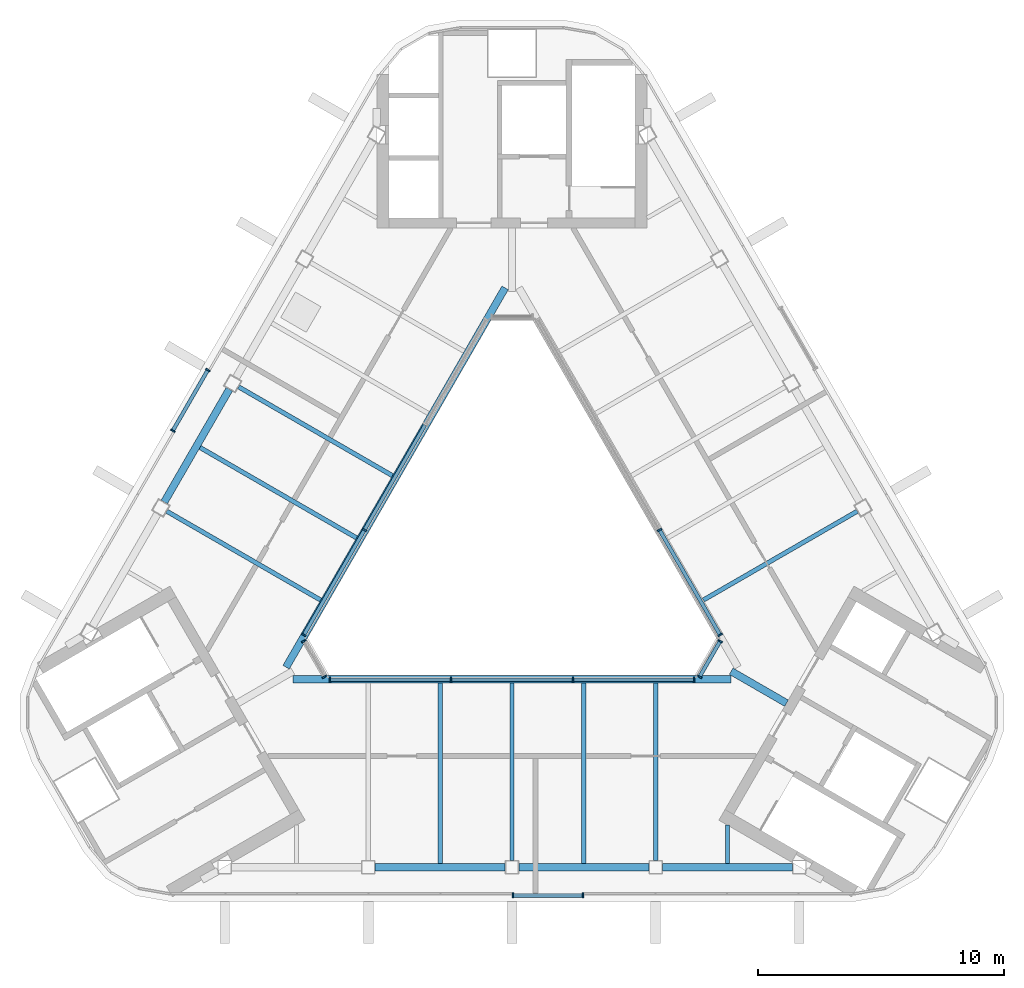
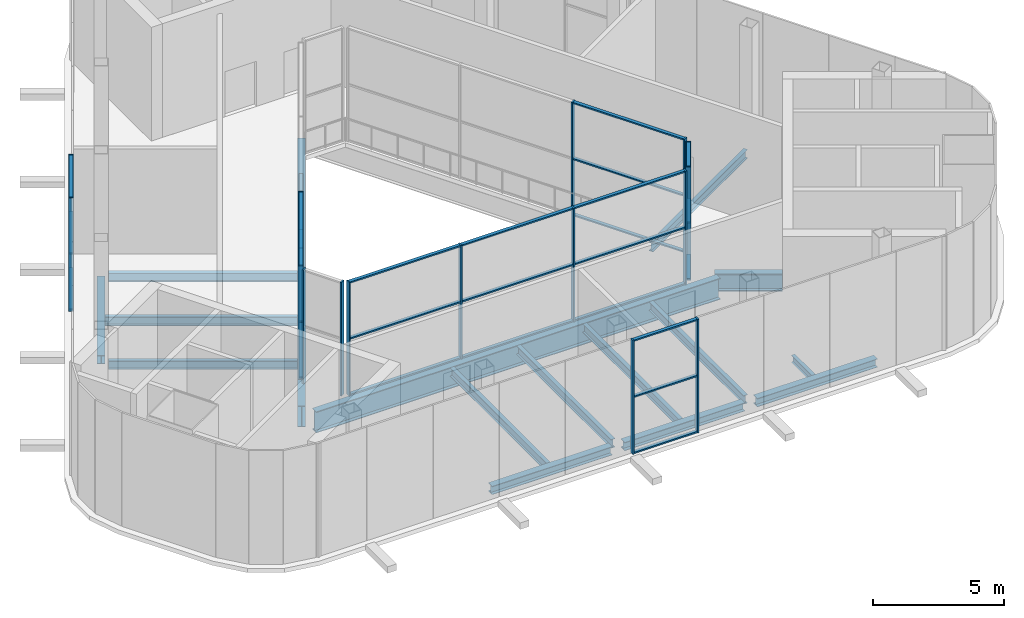
# One storey, part 2 of 9: 42 members, 16 beams, 7 elements without a shape of their own.
"""IFC4 building model written with IfcOpenShell, lengths in metres."""

import ifcopenshell
import ifcopenshell.guid

model = None  # the IFC model being written
_history = None  # IfcOwnerHistory: only IFC2X3 demands one
_inside = {}  # id of a spatial element -> (the spatial element, [elements in it])
_under = {}  # id of a project, library or spatial element -> (it, [spatial elements below it])
_declared = {}  # id of a project -> (the project, [libraries it declares])
_typed = {}  # id of a type object -> (the type object, [elements of that type])
_made_of = {}  # id of a material, layer set ... -> (it, [elements and type objects made of it])


def new_model(schema):
    """Start an empty IFC model of exactly this schema.

    Asked for "IFC4X3", IfcOpenShell would pick the latest addendum, in which some entities
    have other attributes; the version numbers below select the first issue.
    IFC2X3 requires an IfcOwnerHistory on every rooted entity: one is made here for all.
    """
    global model, _history
    if schema == "IFC4X3":
        model = ifcopenshell.file(schema_version=(4, 3, 0, 0))
    else:
        model = ifcopenshell.file(schema=schema)
    _inside.clear()
    _under.clear()
    _declared.clear()
    _typed.clear()
    _made_of.clear()
    _history = None
    if model.schema == "IFC2X3":
        org = make("IfcOrganization", Name="unknown")
        user = make(
            "IfcPersonAndOrganization",
            ThePerson=make("IfcPerson", FamilyName="unknown"),
            TheOrganization=org,
        )
        app = make(
            "IfcApplication",
            ApplicationDeveloper=org,
            Version="unknown",
            ApplicationFullName="unknown",
            ApplicationIdentifier="unknown",
        )
        _history = make(
            "IfcOwnerHistory",
            OwningUser=user,
            OwningApplication=app,
            ChangeAction="ADDED",
            CreationDate=0,
        )
    return model


def make(cls, **values):
    """One entity of the class cls with the attributes given. An attribute that is None is left unset."""
    return model.create_entity(
        cls, **{name: value for name, value in values.items() if value is not None}
    )


def rooted(cls, **values):
    """An entity with a GlobalId (a new one), such as an element, a storey or a relation."""
    return make(cls, GlobalId=ifcopenshell.guid.new(), OwnerHistory=_history, **values)


def si_unit(unit_type, name, prefix=None):
    """IfcSIUnit, for example si_unit("LENGTHUNIT", "METRE", prefix="MILLI")."""
    return make("IfcSIUnit", UnitType=unit_type, Prefix=prefix, Name=name)


def assignment(units):
    """IfcUnitAssignment: the units of a project."""
    return None if units is None else make("IfcUnitAssignment", Units=units)


def point(xyz):
    """IfcCartesianPoint."""
    return None if xyz is None else make("IfcCartesianPoint", Coordinates=xyz)


def direction(xyz):
    """IfcDirection."""
    return None if xyz is None else make("IfcDirection", DirectionRatios=xyz)


def frame(location, z_axis=None, x_axis=None):
    """IfcAxis2Placement3D, a coordinate frame: its origin and axes. An axis left out is left unset."""
    return make(
        "IfcAxis2Placement3D",
        Location=point(location),
        Axis=direction(z_axis),
        RefDirection=direction(x_axis),
    )


def frame_2d(location, x_axis=None):
    """IfcAxis2Placement2D, a coordinate frame in the plane: its origin and x axis."""
    return make(
        "IfcAxis2Placement2D", Location=point(location), RefDirection=direction(x_axis)
    )


def origin():
    """The frame at (0, 0, 0) with its axes left unset."""
    return frame((0.0, 0.0, 0.0))


def origin_2d():
    """The frame at (0, 0) in the plane with its x axis left unset."""
    return frame_2d((0.0, 0.0))


def place(relative_to, where):
    """IfcLocalPlacement: puts the frame where relative to a parent placement (None: the world)."""
    return make(
        "IfcLocalPlacement", PlacementRelTo=relative_to, RelativePlacement=where
    )


def context(
    kind, dimensions, precision=None, world=None, true_north=None, identifier=None
):
    """IfcGeometricRepresentationContext, for example the 3D "Model" context."""
    return make(
        "IfcGeometricRepresentationContext",
        ContextIdentifier=identifier,
        ContextType=kind,
        CoordinateSpaceDimension=dimensions,
        Precision=precision,
        WorldCoordinateSystem=world,
        TrueNorth=true_north,
    )


def subcontext(parent, identifier, kind, view, scale=None):
    """IfcGeometricRepresentationSubContext, for example "Body" below "Model"."""
    return make(
        "IfcGeometricRepresentationSubContext",
        ContextIdentifier=identifier,
        ContextType=kind,
        ParentContext=parent,
        TargetScale=scale,
        TargetView=view,
    )


def project(units=None, contexts=None):
    """IfcProject with its units and contexts."""
    return rooted(
        "IfcProject",
        Name="project",
        RepresentationContexts=contexts,
        UnitsInContext=assignment(units),
    )


def spatial(cls, under=None, at=None, **own):
    """A site, building, storey or space (cls), placed at a placement, below another one or the project."""
    s = rooted(cls, ObjectPlacement=at, **own)
    if under is not None:
        _under.setdefault(under.id(), (under, []))[1].append(s)
    return s


def profile(cls, at=None, kind="AREA", **sizes):
    """A parametric profile (cls). Its sizes go by their IFC names, for example OverallWidth=200.0."""
    return make(cls, ProfileType=kind, Position=at, **sizes)


def rectangle(**sizes):
    """IfcRectangleProfileDef."""
    return profile("IfcRectangleProfileDef", **sizes)


def i_section(**sizes):
    """IfcIShapeProfileDef."""
    return profile("IfcIShapeProfileDef", **sizes)


def extrude(swept, where, along, depth):
    """IfcExtrudedAreaSolid: the profile swept, set in the frame where, extruded along a direction by depth."""
    return make(
        "IfcExtrudedAreaSolid",
        SweptArea=swept,
        Position=where,
        ExtrudedDirection=direction(along),
        Depth=depth,
    )


def shape(context_of_items, identifier, shape_type, items):
    """IfcShapeRepresentation: the items that make up one representation, for example the "Body"."""
    return make(
        "IfcShapeRepresentation",
        ContextOfItems=context_of_items,
        RepresentationIdentifier=identifier,
        RepresentationType=shape_type,
        Items=items,
    )


def material(Name=None, Category=None):
    """IfcMaterial."""
    return make("IfcMaterial", Name=Name, Category=Category)


def layer(
    of_material, thickness, ventilated=None, Name=None, Category=None, Priority=None
):
    """IfcMaterialLayer: one layer of a wall or slab, of a material (None: an air gap)."""
    return make(
        "IfcMaterialLayer",
        Material=of_material,
        LayerThickness=thickness,
        IsVentilated=ventilated,
        Name=Name,
        Category=Category,
        Priority=Priority,
    )


def layer_set(layers, Name=None):
    """IfcMaterialLayerSet."""
    return make("IfcMaterialLayerSet", MaterialLayers=layers, LayerSetName=Name)


def material_profile(
    of_material, cross_section, Name=None, Category=None, Priority=None
):
    """IfcMaterialProfile: a cross section and its material."""
    return make(
        "IfcMaterialProfile",
        Name=Name,
        Material=of_material,
        Profile=cross_section,
        Priority=Priority,
        Category=Category,
    )


def profile_set(profiles, Name=None, composite=None):
    """IfcMaterialProfileSet."""
    return make(
        "IfcMaterialProfileSet",
        Name=Name,
        MaterialProfiles=profiles,
        CompositeProfile=composite,
    )


def made_of(thing, what):
    """Note that an element or type object is made of a material, layer set ...; save() writes the relation."""
    if what is not None:
        _made_of.setdefault(what.id(), (what, []))[1].append(thing)
    return thing


def type_object(cls, material=None, **own):
    """A type object (cls), such as IfcWallType, which elements share."""
    return made_of(rooted(cls, **own), material)


def element(
    cls,
    number,
    at=None,
    inside=None,
    cuts=None,
    type_object=None,
    material=None,
    context=None,
    identifier="Body",
    shape_type=None,
    held_by="IfcProductDefinitionShape",
    body=None,
    shapes=None,
    **own,
):
    """One element of the class cls, such as IfcWall. Its Tag is "e" and its number.

    at: its placement. inside: the storey or other place that contains it. cuts: it is an
    opening in that element (IfcRelVoidsElement). A single representation is given by context,
    identifier, shape_type and body (its items); several are given by shapes. held_by: the class
    of the entity that holds the representations. save() writes the other relations.
    """
    e = rooted(cls, Tag="e%d" % number, ObjectPlacement=at, **own)
    if body is not None:
        shapes = [shape(context, identifier, shape_type, body)]
    if shapes is not None:
        e.Representation = make(held_by, Representations=shapes)
    if inside is not None:
        _inside.setdefault(inside.id(), (inside, []))[1].append(e)
    if cuts is not None:
        rooted(
            "IfcRelVoidsElement", RelatingBuildingElement=cuts, RelatedOpeningElement=e
        )
    if type_object is not None:
        _typed.setdefault(type_object.id(), (type_object, []))[1].append(e)
    return made_of(e, material)


def aggregate(whole, parts):
    """IfcRelAggregates: a whole, such as a stair, and the parts it consists of."""
    return rooted("IfcRelAggregates", RelatingObject=whole, RelatedObjects=parts)


def save(model, path):
    """Write the relations noted so far, then the file.

    IfcRelAggregates (storeys below a building ...), IfcRelContainedInSpatialStructure (elements
    in a storey), IfcRelDefinesByType, IfcRelAssociatesMaterial and IfcRelDeclares: one each for
    every whole, place, type object, material and project.
    """
    for whole, parts in _under.values():
        aggregate(whole, parts)
    for where, things in _inside.values():
        rooted(
            "IfcRelContainedInSpatialStructure",
            RelatedElements=things,
            RelatingStructure=where,
        )
    for kind, things in _typed.values():
        rooted("IfcRelDefinesByType", RelatedObjects=things, RelatingType=kind)
    for what, things in _made_of.values():
        rooted("IfcRelAssociatesMaterial", RelatedObjects=things, RelatingMaterial=what)
    for by, libraries in _declared.values():
        rooted("IfcRelDeclares", RelatingContext=by, RelatedDefinitions=libraries)
    model.write(path)


model = new_model("IFC4")

# Units and contexts
model_context = context("Model", 3, precision=1e-05, world=origin(), true_north=direction((0.0, 1.0)))
body_context = subcontext(model_context, "Body", "Model", "MODEL_VIEW")
ifc_project = project(units=[si_unit("LENGTHUNIT", "METRE"), si_unit("AREAUNIT", "SQUARE_METRE"), si_unit("VOLUMEUNIT", "CUBIC_METRE"), si_unit("PLANEANGLEUNIT", "RADIAN"), si_unit("MASSUNIT", "GRAM", prefix="KILO")], contexts=[model_context])

# Site, building, storey
site_placement = place(None, origin())
site = spatial("IfcSite", under=ifc_project, at=site_placement, CompositionType="ELEMENT")
building_placement = place(site_placement, origin())
building = spatial("IfcBuilding", under=site, at=building_placement, Name="Apuvela Tower Hotel", CompositionType="ELEMENT")
storey_placement = place(building_placement, frame((0.0, 0.0, 343.300048828125)))
storey = spatial("IfcBuildingStorey", under=building, at=storey_placement, Name="R-1 ROOF", CompositionType="ELEMENT", Elevation=343.300048828125)

# Curtain wall, members
ifc_material_1 = material(Name="Aluminium 6063-T6, dark bronze anodised", Category="aluminium")
ifc_layer_1 = layer(ifc_material_1, 0.199951171875)
ifc_layer_set_1 = layer_set([ifc_layer_1], Name="ENV-CW-C")
curtain_wall_type_1 = type_object("IfcCurtainWallType", Name="ENV-CW-C", PredefinedType="NOTDEFINED", material=ifc_layer_set_1)
curtain_wall_1_placement = place(storey_placement, origin())
curtain_wall_1 = element("IfcCurtainWall", 1, at=curtain_wall_1_placement, inside=storey, type_object=curtain_wall_type_1, Name="Crown glazing 12 R-1 ROOF", PredefinedType="NOTDEFINED")
ifc_material_profile_1 = material_profile(ifc_material_1, rectangle(XDim=0.199951171875, YDim=0.06494140625, at=origin_2d()), Name="AL 65x200")
ifc_profile_set_1 = profile_set([ifc_material_profile_1], Name="Aluminium 6063-T6, dark bronze anodised")
member_type_1 = type_object("IfcMemberType", Name="ENV-MULLION-65x200", PredefinedType="MULLION", material=ifc_profile_set_1)
member_1_placement = place(storey_placement, frame((-12.3798828125, 7.10986328125, 0.0), z_axis=(0.0, 0.0, 1.0), x_axis=(0.866036603266, -0.499980601426, 0.0)))
member_1 = element("IfcMember", 2, at=member_1_placement, type_object=member_type_1, Name="CW-C mullion 1", PredefinedType="MULLION", context=body_context, shape_type="SweptSolid", body=[
    extrude(rectangle(XDim=0.199951171875, YDim=0.06494140625, at=origin_2d()), origin(), (0.0, 0.0, 1.0), 5.300048828125),
])
member_2_placement = place(storey_placement, frame((-13.805908203125, 4.6396484375, 0.0), z_axis=(0.0, 0.0, 1.0), x_axis=(0.866036603266, -0.499980601426, 0.0)))
member_2 = element("IfcMember", 3, at=member_2_placement, type_object=member_type_1, Name="CW-C mullion 2", PredefinedType="MULLION", context=body_context, shape_type="SweptSolid", body=[
    extrude(rectangle(XDim=0.199951171875, YDim=0.06494140625, at=origin_2d()), origin(), (0.0, 0.0, 1.0), 5.300048828125),
])

curtain_wall_2_placement = place(storey_placement, origin())
curtain_wall_2 = element("IfcCurtainWall", 4, at=curtain_wall_2_placement, inside=storey, type_object=curtain_wall_type_1, Name="Crown glazing 29 R-1 ROOF", PredefinedType="NOTDEFINED")
member_3_placement = place(storey_placement, frame((0.032470703125, -14.276123046875, 0.0), z_axis=(0.0, 0.0, 1.0), x_axis=(0.0, 1.0, 0.0)))
member_3 = element("IfcMember", 5, at=member_3_placement, type_object=member_type_1, Name="CW-C mullion 1", PredefinedType="MULLION", context=body_context, shape_type="SweptSolid", body=[
    extrude(rectangle(XDim=0.199951171875, YDim=0.06494140625, at=origin_2d()), origin(), (0.0, 0.0, 1.0), 5.300048828125),
])
member_4_placement = place(storey_placement, frame((2.884765625, -14.276123046875, 0.0), z_axis=(0.0, 0.0, 1.0), x_axis=(0.0, 1.0, 0.0)))
member_4 = element("IfcMember", 6, at=member_4_placement, type_object=member_type_1, Name="CW-C mullion 2", PredefinedType="MULLION", context=body_context, shape_type="SweptSolid", body=[
    extrude(rectangle(XDim=0.199951171875, YDim=0.06494140625, at=origin_2d()), origin(), (0.0, 0.0, 1.0), 5.300048828125),
])

ifc_layer_2 = layer(ifc_material_1, 0.199951171875)
ifc_layer_set_2 = layer_set([ifc_layer_2], Name="ENV-CW-A")
curtain_wall_type_2 = type_object("IfcCurtainWallType", Name="ENV-CW-A", PredefinedType="NOTDEFINED", material=ifc_layer_set_2)
curtain_wall_3_placement = place(storey_placement, origin())
curtain_wall_3 = element("IfcCurtainWall", 7, at=curtain_wall_3_placement, inside=storey, type_object=curtain_wall_type_2, Name="Atrium glazing 2 R-1 ROOF", PredefinedType="NOTDEFINED")
member_5_placement = place(storey_placement, frame((-6.00439453125, 0.60009765625, 0.0), z_axis=(0.0, 0.0, 1.0), x_axis=(0.866025940778, -0.499999069899, 0.0)))
member_5 = element("IfcMember", 8, at=member_5_placement, type_object=member_type_1, Name="CW-A mullion 3", PredefinedType="MULLION", context=body_context, shape_type="SweptSolid", body=[
    extrude(rectangle(XDim=0.199951171875, YDim=0.06494140625, at=origin_2d()), origin(), (0.0, 0.0, 1.0), 5.300048828125),
])
member_6_placement = place(storey_placement, frame((-8.470703125, -3.671875, 0.0), z_axis=(0.0, 0.0, 1.0), x_axis=(0.866025940778, -0.499999069899, 0.0)))
member_6 = element("IfcMember", 9, at=member_6_placement, type_object=member_type_1, Name="CW-A mullion 4", PredefinedType="MULLION", context=body_context, shape_type="SweptSolid", body=[
    extrude(rectangle(XDim=0.199951171875, YDim=0.06494140625, at=origin_2d()), origin(), (0.0, 0.0, 1.0), 5.300048828125),
])

curtain_wall_4_placement = place(storey_placement, origin())
curtain_wall_4 = element("IfcCurtainWall", 10, at=curtain_wall_4_placement, inside=storey, type_object=curtain_wall_type_2, Name="Atrium glazing 3 R-1 ROOF", PredefinedType="NOTDEFINED")
member_7_placement = place(storey_placement, frame((-8.470703125, -3.92822265625, 0.0), z_axis=(0.0, 0.0, 1.0), x_axis=(0.866031754706, 0.49998899972, 0.0)))
member_7 = element("IfcMember", 11, at=member_7_placement, type_object=member_type_1, Name="CW-A mullion 1", PredefinedType="MULLION", context=body_context, shape_type="SweptSolid", body=[
    extrude(rectangle(XDim=0.199951171875, YDim=0.06494140625, at=origin_2d()), origin(), (0.0, 0.0, 1.0), 5.300048828125),
])
member_8_placement = place(storey_placement, frame((-7.63720703125, -5.371826171875, 0.0), z_axis=(0.0, 0.0, 1.0), x_axis=(0.866031754706, 0.49998899972, 0.0)))
member_8 = element("IfcMember", 12, at=member_8_placement, type_object=member_type_1, Name="CW-A mullion 2", PredefinedType="MULLION", context=body_context, shape_type="SweptSolid", body=[
    extrude(rectangle(XDim=0.199951171875, YDim=0.06494140625, at=origin_2d()), origin(), (0.0, 0.0, 1.0), 5.300048828125),
])
aggregate(curtain_wall_4, [member_7, member_8])

curtain_wall_5_placement = place(storey_placement, origin())
curtain_wall_5 = element("IfcCurtainWall", 13, at=curtain_wall_5_placement, inside=storey, type_object=curtain_wall_type_2, Name="Atrium glazing 4 R-1 ROOF", PredefinedType="NOTDEFINED")
member_9_placement = place(storey_placement, frame((-7.415283203125, -5.5, 0.0), z_axis=(0.0, 0.0, 1.0), x_axis=(0.0, 1.0, 0.0)))
member_9 = element("IfcMember", 14, at=member_9_placement, type_object=member_type_1, Name="CW-A mullion 1", PredefinedType="MULLION", context=body_context, shape_type="SweptSolid", body=[
    extrude(rectangle(XDim=0.199951171875, YDim=0.06494140625, at=origin_2d()), origin(), (0.0, 0.0, 1.0), 5.300048828125),
])
member_10_placement = place(storey_placement, frame((-2.482666015625, -5.5, 0.0), z_axis=(0.0, 0.0, 1.0), x_axis=(0.0, 1.0, 0.0)))
member_10 = element("IfcMember", 15, at=member_10_placement, type_object=member_type_1, Name="CW-A mullion 2", PredefinedType="MULLION", context=body_context, shape_type="SweptSolid", body=[
    extrude(rectangle(XDim=0.199951171875, YDim=0.06494140625, at=origin_2d()), origin(), (0.0, 0.0, 1.0), 5.300048828125),
])
member_11_placement = place(storey_placement, frame((2.482666015625, -5.5, 0.0), z_axis=(0.0, 0.0, 1.0), x_axis=(0.0, 1.0, 0.0)))
member_11 = element("IfcMember", 16, at=member_11_placement, type_object=member_type_1, Name="CW-A mullion 3", PredefinedType="MULLION", context=body_context, shape_type="SweptSolid", body=[
    extrude(rectangle(XDim=0.199951171875, YDim=0.06494140625, at=origin_2d()), origin(), (0.0, 0.0, 1.0), 5.300048828125),
])
member_12_placement = place(storey_placement, frame((7.415283203125, -5.5, 0.0), z_axis=(0.0, 0.0, 1.0), x_axis=(0.0, 1.0, 0.0)))
member_12 = element("IfcMember", 17, at=member_12_placement, type_object=member_type_1, Name="CW-A mullion 4", PredefinedType="MULLION", context=body_context, shape_type="SweptSolid", body=[
    extrude(rectangle(XDim=0.199951171875, YDim=0.06494140625, at=origin_2d()), origin(), (0.0, 0.0, 1.0), 5.300048828125),
])

curtain_wall_6_placement = place(storey_placement, origin())
curtain_wall_6 = element("IfcCurtainWall", 18, at=curtain_wall_6_placement, inside=storey, type_object=curtain_wall_type_2, Name="Atrium glazing 5 R-1 ROOF", PredefinedType="NOTDEFINED")
member_13_placement = place(storey_placement, frame((7.63720703125, -5.371826171875, 0.0), z_axis=(0.0, 0.0, 1.0), x_axis=(-0.866031754706, 0.49998899972, 0.0)))
member_13 = element("IfcMember", 19, at=member_13_placement, type_object=member_type_1, Name="CW-A mullion 1", PredefinedType="MULLION", context=body_context, shape_type="SweptSolid", body=[
    extrude(rectangle(XDim=0.199951171875, YDim=0.06494140625, at=origin_2d()), origin(), (0.0, 0.0, 1.0), 5.300048828125),
])
member_14_placement = place(storey_placement, frame((8.470703125, -3.92822265625, 0.0), z_axis=(0.0, 0.0, 1.0), x_axis=(-0.866031754706, 0.49998899972, 0.0)))
member_14 = element("IfcMember", 20, at=member_14_placement, type_object=member_type_1, Name="CW-A mullion 2", PredefinedType="MULLION", context=body_context, shape_type="SweptSolid", body=[
    extrude(rectangle(XDim=0.199951171875, YDim=0.06494140625, at=origin_2d()), origin(), (0.0, 0.0, 1.0), 5.300048828125),
])

curtain_wall_7_placement = place(storey_placement, origin())
curtain_wall_7 = element("IfcCurtainWall", 21, at=curtain_wall_7_placement, inside=storey, type_object=curtain_wall_type_2, Name="Atrium glazing 6 R-1 ROOF", PredefinedType="NOTDEFINED")
member_15_placement = place(storey_placement, frame((8.470703125, -3.671875, 0.0), z_axis=(0.0, 0.0, 1.0), x_axis=(-0.866025940778, -0.499999069899, 0.0)))
member_15 = element("IfcMember", 22, at=member_15_placement, type_object=member_type_1, Name="CW-A mullion 1", PredefinedType="MULLION", context=body_context, shape_type="SweptSolid", body=[
    extrude(rectangle(XDim=0.199951171875, YDim=0.06494140625, at=origin_2d()), origin(), (0.0, 0.0, 1.0), 5.300048828125),
])
member_16_placement = place(storey_placement, frame((6.00439453125, 0.60009765625, 0.0), z_axis=(0.0, 0.0, 1.0), x_axis=(-0.866025940778, -0.499999069899, 0.0)))
member_16 = element("IfcMember", 23, at=member_16_placement, type_object=member_type_1, Name="CW-A mullion 2", PredefinedType="MULLION", context=body_context, shape_type="SweptSolid", body=[
    extrude(rectangle(XDim=0.199951171875, YDim=0.06494140625, at=origin_2d()), origin(), (0.0, 0.0, 1.0), 5.300048828125),
])

# Member
ifc_material_profile_2 = material_profile(ifc_material_1, rectangle(XDim=0.14990234375, YDim=0.06494140625, at=origin_2d()), Name="AL 65x150 transom")
ifc_profile_set_2 = profile_set([ifc_material_profile_2], Name="Aluminium 6063-T6, dark bronze anodised")
member_type_2 = type_object("IfcMemberType", Name="ENV-TRANSOM-65x150", PredefinedType="USERDEFINED", material=ifc_profile_set_2)
member_17_placement = place(storey_placement, frame((-12.39599609375, 7.081787109375, 0.032470703125), z_axis=(-0.500048472683, -0.865997416259, 0.0), x_axis=(0.865997416259, -0.500048472683, 0.0)))
member_17 = element("IfcMember", 24, at=member_17_placement, type_object=member_type_2, Name="CW-C transom 1.1", ObjectType="TRANSOM", PredefinedType="USERDEFINED", context=body_context, shape_type="SweptSolid", body=[
    extrude(rectangle(XDim=0.14990234375, YDim=0.06494140625, at=origin_2d()), origin(), (0.0, 0.0, 1.0), 2.787353515625),
])

member_18_placement = place(storey_placement, frame((-12.39599609375, 7.081787109375, 2.64990234375), z_axis=(-0.500048472683, -0.865997416259, 0.0), x_axis=(0.865997416259, -0.500048472683, 0.0)))
member_18 = element("IfcMember", 25, at=member_18_placement, type_object=member_type_2, Name="CW-C transom 1.2", ObjectType="TRANSOM", PredefinedType="USERDEFINED", context=body_context, shape_type="SweptSolid", body=[
    extrude(rectangle(XDim=0.14990234375, YDim=0.06494140625, at=origin_2d()), origin(), (0.0, 0.0, 1.0), 2.787353515625),
])

member_19_placement = place(storey_placement, frame((-12.39599609375, 7.081787109375, 5.267333984375), z_axis=(-0.500048472683, -0.865997416259, 0.0), x_axis=(0.865997416259, -0.500048472683, 0.0)))
member_19 = element("IfcMember", 26, at=member_19_placement, type_object=member_type_2, Name="CW-C transom 1.3", ObjectType="TRANSOM", PredefinedType="USERDEFINED", context=body_context, shape_type="SweptSolid", body=[
    extrude(rectangle(XDim=0.14990234375, YDim=0.06494140625, at=origin_2d()), origin(), (0.0, 0.0, 1.0), 2.787353515625),
])

aggregate(curtain_wall_1, [member_1, member_2, member_17, member_18, member_19])

member_20_placement = place(storey_placement, frame((0.06494140625, -14.276123046875, 0.032470703125), z_axis=(1.0, 0.0, 0.0), x_axis=(0.0, 1.0, 0.0)))
member_20 = element("IfcMember", 27, at=member_20_placement, type_object=member_type_2, Name="CW-C transom 1.1", ObjectType="TRANSOM", PredefinedType="USERDEFINED", context=body_context, shape_type="SweptSolid", body=[
    extrude(rectangle(XDim=0.14990234375, YDim=0.06494140625, at=origin_2d()), origin(), (0.0, 0.0, 1.0), 2.787353515625),
])

member_21_placement = place(storey_placement, frame((0.06494140625, -14.276123046875, 2.64990234375), z_axis=(1.0, 0.0, 0.0), x_axis=(0.0, 1.0, 0.0)))
member_21 = element("IfcMember", 28, at=member_21_placement, type_object=member_type_2, Name="CW-C transom 1.2", ObjectType="TRANSOM", PredefinedType="USERDEFINED", context=body_context, shape_type="SweptSolid", body=[
    extrude(rectangle(XDim=0.14990234375, YDim=0.06494140625, at=origin_2d()), origin(), (0.0, 0.0, 1.0), 2.787353515625),
])

member_22_placement = place(storey_placement, frame((0.06494140625, -14.276123046875, 5.267333984375), z_axis=(1.0, 0.0, 0.0), x_axis=(0.0, 1.0, 0.0)))
member_22 = element("IfcMember", 29, at=member_22_placement, type_object=member_type_2, Name="CW-C transom 1.3", ObjectType="TRANSOM", PredefinedType="USERDEFINED", context=body_context, shape_type="SweptSolid", body=[
    extrude(rectangle(XDim=0.14990234375, YDim=0.06494140625, at=origin_2d()), origin(), (0.0, 0.0, 1.0), 2.787353515625),
])

aggregate(curtain_wall_2, [member_3, member_4, member_20, member_21, member_22])

member_23_placement = place(storey_placement, frame((-3.5380859375, 4.871826171875, 0.032470703125), z_axis=(-0.49998122708, -0.866036242063, 0.0), x_axis=(0.866036242063, -0.49998122708, 0.0)))
member_23 = element("IfcMember", 30, at=member_23_placement, type_object=member_type_2, Name="CW-A transom 2.1", ObjectType="TRANSOM", PredefinedType="USERDEFINED", context=body_context, shape_type="SweptSolid", body=[
    extrude(rectangle(XDim=0.14990234375, YDim=0.06494140625, at=origin_2d()), origin(), (0.0, 0.0, 1.0), 4.900146484375),
])

member_24_placement = place(storey_placement, frame((-3.5380859375, 4.871826171875, 2.64990234375), z_axis=(-0.49998122708, -0.866036242063, 0.0), x_axis=(0.866036242063, -0.49998122708, 0.0)))
member_24 = element("IfcMember", 31, at=member_24_placement, type_object=member_type_2, Name="CW-A transom 2.2", ObjectType="TRANSOM", PredefinedType="USERDEFINED", context=body_context, shape_type="SweptSolid", body=[
    extrude(rectangle(XDim=0.14990234375, YDim=0.06494140625, at=origin_2d()), origin(), (0.0, 0.0, 1.0), 4.900146484375),
])

member_25_placement = place(storey_placement, frame((-6.020751953125, 0.57177734375, 0.032470703125), z_axis=(-0.49999597136, -0.866027729709, 0.0), x_axis=(0.866027729709, -0.49999597136, 0.0)))
member_25 = element("IfcMember", 32, at=member_25_placement, type_object=member_type_2, Name="CW-A transom 3.1", ObjectType="TRANSOM", PredefinedType="USERDEFINED", context=body_context, shape_type="SweptSolid", body=[
    extrude(rectangle(XDim=0.14990234375, YDim=0.06494140625, at=origin_2d()), origin(), (0.0, 0.0, 1.0), 4.86767578125),
])

member_26_placement = place(storey_placement, frame((-6.020751953125, 0.57177734375, 2.64990234375), z_axis=(-0.49999597136, -0.866027729709, 0.0), x_axis=(0.866027729709, -0.49999597136, 0.0)))
member_26 = element("IfcMember", 33, at=member_26_placement, type_object=member_type_2, Name="CW-A transom 3.2", ObjectType="TRANSOM", PredefinedType="USERDEFINED", context=body_context, shape_type="SweptSolid", body=[
    extrude(rectangle(XDim=0.14990234375, YDim=0.06494140625, at=origin_2d()), origin(), (0.0, 0.0, 1.0), 4.86767578125),
])

member_27_placement = place(storey_placement, frame((-6.020751953125, 0.57177734375, 5.267333984375), z_axis=(-0.49999597136, -0.866027729709, 0.0), x_axis=(0.866027729709, -0.49999597136, 0.0)))
member_27 = element("IfcMember", 34, at=member_27_placement, type_object=member_type_2, Name="CW-A transom 3.3", ObjectType="TRANSOM", PredefinedType="USERDEFINED", context=body_context, shape_type="SweptSolid", body=[
    extrude(rectangle(XDim=0.14990234375, YDim=0.06494140625, at=origin_2d()), origin(), (0.0, 0.0, 1.0), 4.86767578125),
])

aggregate(curtain_wall_3, [member_5, member_6, member_23, member_24, member_25, member_26, member_27])

member_28_placement = place(storey_placement, frame((-7.3828125, -5.5, 0.032470703125), z_axis=(1.0, 0.0, 0.0), x_axis=(0.0, 1.0, 0.0)))
member_28 = element("IfcMember", 35, at=member_28_placement, type_object=member_type_2, Name="CW-A transom 1.1", ObjectType="TRANSOM", PredefinedType="USERDEFINED", context=body_context, shape_type="SweptSolid", body=[
    extrude(rectangle(XDim=0.14990234375, YDim=0.06494140625, at=origin_2d()), origin(), (0.0, 0.0, 1.0), 4.86767578125),
])

member_29_placement = place(storey_placement, frame((-7.3828125, -5.5, 2.64990234375), z_axis=(1.0, 0.0, 0.0), x_axis=(0.0, 1.0, 0.0)))
member_29 = element("IfcMember", 36, at=member_29_placement, type_object=member_type_2, Name="CW-A transom 1.2", ObjectType="TRANSOM", PredefinedType="USERDEFINED", context=body_context, shape_type="SweptSolid", body=[
    extrude(rectangle(XDim=0.14990234375, YDim=0.06494140625, at=origin_2d()), origin(), (0.0, 0.0, 1.0), 4.86767578125),
])

member_30_placement = place(storey_placement, frame((-7.3828125, -5.5, 5.267333984375), z_axis=(1.0, 0.0, 0.0), x_axis=(0.0, 1.0, 0.0)))
member_30 = element("IfcMember", 37, at=member_30_placement, type_object=member_type_2, Name="CW-A transom 1.3", ObjectType="TRANSOM", PredefinedType="USERDEFINED", context=body_context, shape_type="SweptSolid", body=[
    extrude(rectangle(XDim=0.14990234375, YDim=0.06494140625, at=origin_2d()), origin(), (0.0, 0.0, 1.0), 4.86767578125),
])

member_31_placement = place(storey_placement, frame((-2.4501953125, -5.5, 0.032470703125), z_axis=(1.0, 0.0, 0.0), x_axis=(0.0, 1.0, 0.0)))
member_31 = element("IfcMember", 38, at=member_31_placement, type_object=member_type_2, Name="CW-A transom 2.1", ObjectType="TRANSOM", PredefinedType="USERDEFINED", context=body_context, shape_type="SweptSolid", body=[
    extrude(rectangle(XDim=0.14990234375, YDim=0.06494140625, at=origin_2d()), origin(), (0.0, 0.0, 1.0), 4.900390625),
])

member_32_placement = place(storey_placement, frame((-2.4501953125, -5.5, 2.64990234375), z_axis=(1.0, 0.0, 0.0), x_axis=(0.0, 1.0, 0.0)))
member_32 = element("IfcMember", 39, at=member_32_placement, type_object=member_type_2, Name="CW-A transom 2.2", ObjectType="TRANSOM", PredefinedType="USERDEFINED", context=body_context, shape_type="SweptSolid", body=[
    extrude(rectangle(XDim=0.14990234375, YDim=0.06494140625, at=origin_2d()), origin(), (0.0, 0.0, 1.0), 4.900390625),
])

member_33_placement = place(storey_placement, frame((-2.4501953125, -5.5, 5.267333984375), z_axis=(1.0, 0.0, 0.0), x_axis=(0.0, 1.0, 0.0)))
member_33 = element("IfcMember", 40, at=member_33_placement, type_object=member_type_2, Name="CW-A transom 2.3", ObjectType="TRANSOM", PredefinedType="USERDEFINED", context=body_context, shape_type="SweptSolid", body=[
    extrude(rectangle(XDim=0.14990234375, YDim=0.06494140625, at=origin_2d()), origin(), (0.0, 0.0, 1.0), 4.900390625),
])

member_34_placement = place(storey_placement, frame((2.51513671875, -5.5, 0.032470703125), z_axis=(1.0, 0.0, 0.0), x_axis=(0.0, 1.0, 0.0)))
member_34 = element("IfcMember", 41, at=member_34_placement, type_object=member_type_2, Name="CW-A transom 3.1", ObjectType="TRANSOM", PredefinedType="USERDEFINED", context=body_context, shape_type="SweptSolid", body=[
    extrude(rectangle(XDim=0.14990234375, YDim=0.06494140625, at=origin_2d()), origin(), (0.0, 0.0, 1.0), 4.86767578125),
])

member_35_placement = place(storey_placement, frame((2.51513671875, -5.5, 2.64990234375), z_axis=(1.0, 0.0, 0.0), x_axis=(0.0, 1.0, 0.0)))
member_35 = element("IfcMember", 42, at=member_35_placement, type_object=member_type_2, Name="CW-A transom 3.2", ObjectType="TRANSOM", PredefinedType="USERDEFINED", context=body_context, shape_type="SweptSolid", body=[
    extrude(rectangle(XDim=0.14990234375, YDim=0.06494140625, at=origin_2d()), origin(), (0.0, 0.0, 1.0), 4.86767578125),
])

member_36_placement = place(storey_placement, frame((2.51513671875, -5.5, 5.267333984375), z_axis=(1.0, 0.0, 0.0), x_axis=(0.0, 1.0, 0.0)))
member_36 = element("IfcMember", 43, at=member_36_placement, type_object=member_type_2, Name="CW-A transom 3.3", ObjectType="TRANSOM", PredefinedType="USERDEFINED", context=body_context, shape_type="SweptSolid", body=[
    extrude(rectangle(XDim=0.14990234375, YDim=0.06494140625, at=origin_2d()), origin(), (0.0, 0.0, 1.0), 4.86767578125),
])

aggregate(curtain_wall_5, [member_9, member_10, member_11, member_12, member_28, member_29, member_30, member_31, member_32, member_33, member_34, member_35, member_36])

member_37_placement = place(storey_placement, frame((7.653564453125, -5.34375, 0.032470703125), z_axis=(0.499990676028, 0.866030786915, 0.0), x_axis=(-0.866030786915, 0.499990676028, 0.0)))
member_37 = element("IfcMember", 44, at=member_37_placement, type_object=member_type_2, Name="CW-A transom 1.1", ObjectType="TRANSOM", PredefinedType="USERDEFINED", context=body_context, shape_type="SweptSolid", body=[
    extrude(rectangle(XDim=0.14990234375, YDim=0.06494140625, at=origin_2d()), origin(), (0.0, 0.0, 1.0), 1.60205078125),
])

member_38_placement = place(storey_placement, frame((7.653564453125, -5.34375, 2.64990234375), z_axis=(0.499990676028, 0.866030786915, 0.0), x_axis=(-0.866030786915, 0.499990676028, 0.0)))
member_38 = element("IfcMember", 45, at=member_38_placement, type_object=member_type_2, Name="CW-A transom 1.2", ObjectType="TRANSOM", PredefinedType="USERDEFINED", context=body_context, shape_type="SweptSolid", body=[
    extrude(rectangle(XDim=0.14990234375, YDim=0.06494140625, at=origin_2d()), origin(), (0.0, 0.0, 1.0), 1.60205078125),
])

member_39_placement = place(storey_placement, frame((7.653564453125, -5.34375, 5.267333984375), z_axis=(0.499990676028, 0.866030786915, 0.0), x_axis=(-0.866030786915, 0.499990676028, 0.0)))
member_39 = element("IfcMember", 46, at=member_39_placement, type_object=member_type_2, Name="CW-A transom 1.3", ObjectType="TRANSOM", PredefinedType="USERDEFINED", context=body_context, shape_type="SweptSolid", body=[
    extrude(rectangle(XDim=0.14990234375, YDim=0.06494140625, at=origin_2d()), origin(), (0.0, 0.0, 1.0), 1.60205078125),
])

aggregate(curtain_wall_6, [member_13, member_14, member_37, member_38, member_39])

member_40_placement = place(storey_placement, frame((8.45458984375, -3.643798828125, 0.032470703125), z_axis=(-0.49999597136, 0.866027729709, 0.0), x_axis=(-0.866027729709, -0.49999597136, 0.0)))
member_40 = element("IfcMember", 47, at=member_40_placement, type_object=member_type_2, Name="CW-A transom 1.1", ObjectType="TRANSOM", PredefinedType="USERDEFINED", context=body_context, shape_type="SweptSolid", body=[
    extrude(rectangle(XDim=0.14990234375, YDim=0.06494140625, at=origin_2d()), origin(), (0.0, 0.0, 1.0), 4.86767578125),
])

member_41_placement = place(storey_placement, frame((8.45458984375, -3.643798828125, 2.64990234375), z_axis=(-0.49999597136, 0.866027729709, 0.0), x_axis=(-0.866027729709, -0.49999597136, 0.0)))
member_41 = element("IfcMember", 48, at=member_41_placement, type_object=member_type_2, Name="CW-A transom 1.2", ObjectType="TRANSOM", PredefinedType="USERDEFINED", context=body_context, shape_type="SweptSolid", body=[
    extrude(rectangle(XDim=0.14990234375, YDim=0.06494140625, at=origin_2d()), origin(), (0.0, 0.0, 1.0), 4.86767578125),
])

member_42_placement = place(storey_placement, frame((8.45458984375, -3.643798828125, 5.267333984375), z_axis=(-0.49999597136, 0.866027729709, 0.0), x_axis=(-0.866027729709, -0.49999597136, 0.0)))
member_42 = element("IfcMember", 49, at=member_42_placement, type_object=member_type_2, Name="CW-A transom 1.3", ObjectType="TRANSOM", PredefinedType="USERDEFINED", context=body_context, shape_type="SweptSolid", body=[
    extrude(rectangle(XDim=0.14990234375, YDim=0.06494140625, at=origin_2d()), origin(), (0.0, 0.0, 1.0), 4.86767578125),
])

aggregate(curtain_wall_7, [member_15, member_16, member_40, member_41, member_42])

# Beams
ifc_material_2 = material(Name="Steel S355", Category="steel")
ifc_material_profile_3 = material_profile(ifc_material_2, i_section(OverallWidth=0.159912109375, OverallDepth=0.330078125, WebThickness=0.007568359375, FlangeThickness=0.011474609375, at=origin_2d()), Name="IPE 330")
ifc_profile_set_3 = profile_set([ifc_material_profile_3], Name="Steel S355")
beam_type_1 = type_object("IfcBeamType", Name="STR-B floor beam IPE 330", PredefinedType="BEAM", material=ifc_profile_set_3)
beam_1_placement = place(storey_placement, frame((8.76904296875, -12.976318359375, -0.364990234375), z_axis=(0.0, 1.0, 0.0), x_axis=(-1.0, 0.0, 0.0)))
element("IfcBeam", 50, at=beam_1_placement, inside=storey, type_object=beam_type_1, Name="Floor beam B1 S8", PredefinedType="BEAM", context=body_context, shape_type="SweptSolid", body=[
    extrude(i_section(OverallWidth=0.159912109375, OverallDepth=0.330078125, WebThickness=0.007568359375, FlangeThickness=0.011474609375, at=origin_2d()), origin(), (0.0, 0.0, 1.0), 1.562744140625),
])
ifc_material_profile_4 = material_profile(ifc_material_2, i_section(OverallWidth=0.179931640625, OverallDepth=0.39990234375, WebThickness=0.008544921875, FlangeThickness=0.013427734375, at=origin_2d()), Name="IPE 400")
ifc_profile_set_4 = profile_set([ifc_material_profile_4], Name="Steel S355")
beam_type_2 = type_object("IfcBeamType", Name="STR-B floor beam IPE 400", PredefinedType="BEAM", material=ifc_profile_set_4)
beam_2_placement = place(storey_placement, frame((14.052490234375, 1.36279296875, -0.400146484375), z_axis=(-0.866034347176, -0.499984509272, 0.0), x_axis=(0.499984509272, -0.866034347176, 0.0)))
element("IfcBeam", 51, at=beam_2_placement, inside=storey, type_object=beam_type_2, Name="Floor beam B2 NE3", PredefinedType="BEAM", context=body_context, shape_type="SweptSolid", body=[
    extrude(i_section(OverallWidth=0.179931640625, OverallDepth=0.39990234375, WebThickness=0.008544921875, FlangeThickness=0.013427734375, at=origin_2d()), origin(), (0.0, 0.0, 1.0), 7.231201171875),
])
beam_3_placement = place(storey_placement, frame((-11.12939453125, 6.425537109375, -0.400146484375), z_axis=(0.866025906777, -0.49999912879, 0.0), x_axis=(0.49999912879, 0.866025906777, 0.0)))
element("IfcBeam", 52, at=beam_3_placement, inside=storey, type_object=beam_type_2, Name="Floor beam B2 NW5", PredefinedType="BEAM", context=body_context, shape_type="SweptSolid", body=[
    extrude(i_section(OverallWidth=0.179931640625, OverallDepth=0.39990234375, WebThickness=0.008544921875, FlangeThickness=0.013427734375, at=origin_2d()), origin(), (0.0, 0.0, 1.0), 7.23095703125),
])
beam_4_placement = place(storey_placement, frame((-12.69921875, 3.956787109375, -0.400146484375), z_axis=(0.866016463813, -0.500015484165, 0.0), x_axis=(0.500015484165, 0.866016463813, 0.0)))
element("IfcBeam", 53, at=beam_4_placement, inside=storey, type_object=beam_type_2, Name="Floor beam B2 NW6", PredefinedType="BEAM", context=body_context, shape_type="SweptSolid", body=[
    extrude(i_section(OverallWidth=0.179931640625, OverallDepth=0.39990234375, WebThickness=0.008544921875, FlangeThickness=0.013427734375, at=origin_2d()), origin(), (0.0, 0.0, 1.0), 7.356201171875),
])
beam_5_placement = place(storey_placement, frame((-14.052490234375, 1.36279296875, -0.400146484375), z_axis=(0.866034347176, -0.499984509272, 0.0), x_axis=(0.499984509272, 0.866034347176, 0.0)))
element("IfcBeam", 54, at=beam_5_placement, inside=storey, type_object=beam_type_2, Name="Floor beam B2 NW7", PredefinedType="BEAM", context=body_context, shape_type="SweptSolid", body=[
    extrude(i_section(OverallWidth=0.179931640625, OverallDepth=0.39990234375, WebThickness=0.008544921875, FlangeThickness=0.013427734375, at=origin_2d()), origin(), (0.0, 0.0, 1.0), 7.231201171875),
])
beam_6_placement = place(storey_placement, frame((-2.923095703125, -12.976318359375, -0.400146484375), z_axis=(0.0, 1.0, 0.0), x_axis=(-1.0, 0.0, 0.0)))
element("IfcBeam", 55, at=beam_6_placement, inside=storey, type_object=beam_type_2, Name="Floor beam B2 S4", PredefinedType="BEAM", context=body_context, shape_type="SweptSolid", body=[
    extrude(i_section(OverallWidth=0.179931640625, OverallDepth=0.39990234375, WebThickness=0.008544921875, FlangeThickness=0.013427734375, at=origin_2d()), origin(), (0.0, 0.0, 1.0), 7.356201171875),
])
beam_7_placement = place(storey_placement, frame((0.0, -12.851318359375, -0.400146484375), z_axis=(0.0, 1.0, 0.0), x_axis=(-1.0, 0.0, 0.0)))
element("IfcBeam", 56, at=beam_7_placement, inside=storey, type_object=beam_type_2, Name="Floor beam B2 S5", PredefinedType="BEAM", context=body_context, shape_type="SweptSolid", body=[
    extrude(i_section(OverallWidth=0.179931640625, OverallDepth=0.39990234375, WebThickness=0.008544921875, FlangeThickness=0.013427734375, at=origin_2d()), origin(), (0.0, 0.0, 1.0), 7.231201171875),
])
beam_8_placement = place(storey_placement, frame((2.923095703125, -12.976318359375, -0.400146484375), z_axis=(0.0, 1.0, 0.0), x_axis=(-1.0, 0.0, 0.0)))
element("IfcBeam", 57, at=beam_8_placement, inside=storey, type_object=beam_type_2, Name="Floor beam B2 S6", PredefinedType="BEAM", context=body_context, shape_type="SweptSolid", body=[
    extrude(i_section(OverallWidth=0.179931640625, OverallDepth=0.39990234375, WebThickness=0.008544921875, FlangeThickness=0.013427734375, at=origin_2d()), origin(), (0.0, 0.0, 1.0), 7.356201171875),
])
beam_9_placement = place(storey_placement, frame((5.845947265625, -12.851318359375, -0.400146484375), z_axis=(0.0, 1.0, 0.0), x_axis=(-1.0, 0.0, 0.0)))
element("IfcBeam", 58, at=beam_9_placement, inside=storey, type_object=beam_type_2, Name="Floor beam B2 S7", PredefinedType="BEAM", context=body_context, shape_type="SweptSolid", body=[
    extrude(i_section(OverallWidth=0.179931640625, OverallDepth=0.39990234375, WebThickness=0.008544921875, FlangeThickness=0.013427734375, at=origin_2d()), origin(), (0.0, 0.0, 1.0), 7.231201171875),
])
ifc_material_profile_5 = material_profile(ifc_material_2, i_section(OverallWidth=0.300048828125, OverallDepth=0.989990234375, WebThickness=0.0166015625, FlangeThickness=0.031005859375, at=origin_2d()), Name="HE 1000 A")
ifc_profile_set_5 = profile_set([ifc_material_profile_5], Name="Steel S355")
beam_type_3 = type_object("IfcBeamType", Name="STR-G atrium ring girder HE 1000 A", PredefinedType="BEAM", material=ifc_profile_set_5)
beam_10_placement = place(storey_placement, frame((-0.27978515625, 10.455078125, -0.695068359375), z_axis=(-0.500006541319, -0.866021627119, 0.0), x_axis=(0.866021627119, -0.500006541319, 0.0)))
element("IfcBeam", 59, at=beam_10_placement, inside=storey, type_object=beam_type_3, Name="Atrium ring girder G3 N-SW", PredefinedType="BEAM", context=body_context, shape_type="SweptSolid", body=[
    extrude(i_section(OverallWidth=0.300048828125, OverallDepth=0.989990234375, WebThickness=0.0166015625, FlangeThickness=0.031005859375, at=origin_2d()), origin(), (0.0, 0.0, 1.0), 17.828857421875),
])
beam_11_placement = place(storey_placement, frame((-8.91455078125, -5.469970703125, -0.695068359375), z_axis=(1.0, 0.0, 0.0), x_axis=(0.0, 1.0, 0.0)))
element("IfcBeam", 60, at=beam_11_placement, inside=storey, type_object=beam_type_3, Name="Atrium ring girder G3 SW-SE", PredefinedType="BEAM", context=body_context, shape_type="SweptSolid", body=[
    extrude(i_section(OverallWidth=0.300048828125, OverallDepth=0.989990234375, WebThickness=0.0166015625, FlangeThickness=0.031005859375, at=origin_2d()), origin(), (0.0, 0.0, 1.0), 17.8291015625),
])
ifc_material_profile_6 = material_profile(ifc_material_2, i_section(OverallWidth=0.300048828125, OverallDepth=0.800048828125, WebThickness=0.017578125, FlangeThickness=0.032958984375, at=origin_2d()), Name="HE 800 B")
ifc_profile_set_6 = profile_set([ifc_material_profile_6], Name="Steel S355")
beam_type_4 = type_object("IfcBeamType", Name="STR-GT core tie beam HE 800 B", PredefinedType="BEAM", material=ifc_profile_set_6)
beam_12_placement = place(storey_placement, frame((11.171630859375, -6.449951171875, -0.60009765625), z_axis=(-0.865997922154, 0.500047596559, 0.0), x_axis=(-0.500047596559, -0.865997922154, 0.0)))
element("IfcBeam", 61, at=beam_12_placement, inside=storey, type_object=beam_type_4, Name="Core tie beam GT1 SE", PredefinedType="BEAM", context=body_context, shape_type="SweptSolid", body=[
    extrude(i_section(OverallWidth=0.300048828125, OverallDepth=0.800048828125, WebThickness=0.017578125, FlangeThickness=0.032958984375, at=origin_2d()), origin(), (0.0, 0.0, 1.0), 2.599853515625),
])
ifc_material_profile_7 = material_profile(ifc_material_2, i_section(OverallWidth=0.300048828125, OverallDepth=0.389892578125, WebThickness=0.010986328125, FlangeThickness=0.01904296875, at=origin_2d()), Name="HE 400 A")
ifc_profile_set_7 = profile_set([ifc_material_profile_7], Name="Steel S355")
beam_type_5 = type_object("IfcBeamType", Name="STR-SB spandrel beam HE 400 A", PredefinedType="SPANDREL", material=ifc_profile_set_7)
for number, where, z_axis, x_axis, name in (
    (62, (-5.571044921875, -13.126220703125, -0.39501953125), (1.0, 0.0, 0.0), (0.0, 1.0, 0.0), "Spandrel beam SB4 S2"),
    (63, (0.27490234375, -13.126220703125, -0.39501953125), (1.0, 0.0, 0.0), (0.0, 1.0, 0.0), "Spandrel beam SB4 S3"),
):
    element("IfcBeam", number, at=place(storey_placement, frame(where, z_axis=z_axis, x_axis=x_axis)), inside=storey, type_object=beam_type_5, Name=name, PredefinedType="SPANDREL", context=body_context, shape_type="SweptSolid", body=[
        extrude(i_section(OverallWidth=0.300048828125, OverallDepth=0.389892578125, WebThickness=0.010986328125, FlangeThickness=0.01904296875, at=origin_2d()), origin(), (0.0, 0.0, 1.0), 5.296142578125),
    ])
for number, where, z_axis, x_axis, name in (
    (64, (6.12109375, -13.126220703125, -0.39501953125), (1.0, 0.0, 0.0), (0.0, 1.0, 0.0), "Spandrel beam SB4 S4"),
    (65, (-11.505126953125, 6.324951171875, -0.39501953125), (-0.499996467947, -0.866027443007, 0.0), (0.866027443007, -0.499996467947, 0.0), "Spandrel beam SB4 NW3"),
):
    element("IfcBeam", number, at=place(storey_placement, frame(where, z_axis=z_axis, x_axis=x_axis)), inside=storey, type_object=beam_type_5, Name=name, PredefinedType="SPANDREL", context=body_context, shape_type="SweptSolid", body=[
        extrude(i_section(OverallWidth=0.300048828125, OverallDepth=0.389892578125, WebThickness=0.010986328125, FlangeThickness=0.01904296875, at=origin_2d()), origin(), (0.0, 0.0, 1.0), 5.2958984375),
    ])

save(model, "model.ifc")
